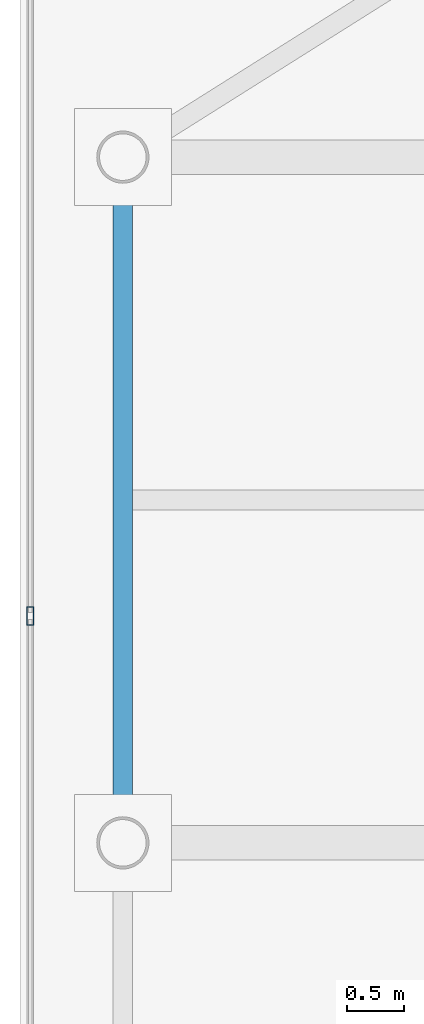
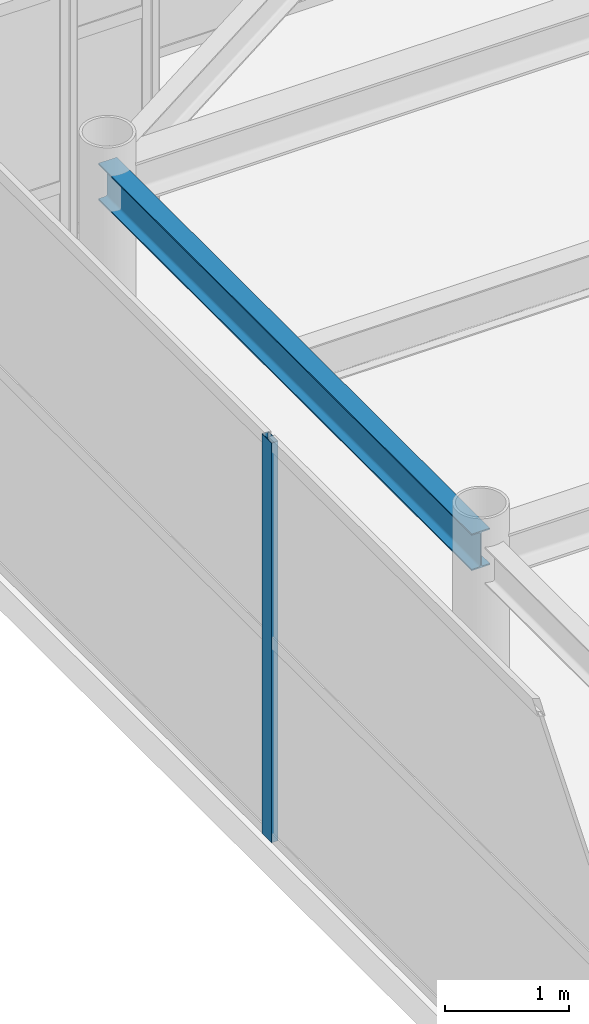
# One storey, part 13 of 32: 1 beam, 1 member, 1 element without a shape of its own.
"""IFC4 building model written with IfcOpenShell, lengths in metres."""

from ifc_helpers import new_model, si_unit, direction, frame, origin, origin_2d, place, context, subcontext, project, spatial, hollow_rectangle, i_section, extrude, source, transform, mapped, material, layer, layer_set, material_profile, profile_set, type_object, element, aggregate, save


model = new_model("IFC4")

# Units and contexts
model_context = context("Model", 3, precision=1e-05, world=origin(), true_north=direction((0.0, 1.0)))
body_context = subcontext(model_context, "Body", "Model", "MODEL_VIEW")
ifc_project = project(units=[si_unit("LENGTHUNIT", "METRE"), si_unit("AREAUNIT", "SQUARE_METRE"), si_unit("VOLUMEUNIT", "CUBIC_METRE"), si_unit("PLANEANGLEUNIT", "RADIAN"), si_unit("MASSUNIT", "GRAM", prefix="KILO")], contexts=[model_context])

# Site, building, storey
site_placement = place(None, origin())
site = spatial("IfcSite", under=ifc_project, at=site_placement, CompositionType="ELEMENT")
building_placement = place(site_placement, origin())
building = spatial("IfcBuilding", under=site, at=building_placement, Name="Khoralis Quay Care Tower", CompositionType="ELEMENT")
storey_placement = place(building_placement, frame((0.0, 0.0, 293.699951171875)))
storey = spatial("IfcBuildingStorey", under=building, at=storey_placement, Name="L77", CompositionType="ELEMENT", Elevation=293.699951171875)

# Beam
ifc_material_1 = material(Name="Steel S355", Category="steel")
ifc_material_profile_1 = material_profile(ifc_material_1, i_section(OverallWidth=0.169921875, OverallDepth=0.360107421875, WebThickness=0.008056640625, FlangeThickness=0.0126953125, FilletRadius=0.01806640625, at=origin_2d()), Name="Steel S355")
ifc_profile_set_1 = profile_set([ifc_material_profile_1], Name="Steel S355")
beam_type = type_object("IfcBeamType", Name="BM-IPE360", PredefinedType="SPANDREL", material=ifc_profile_set_1)
shared_shape_1 = source(origin(), body_context, "Body", "SweptSolid", [
    extrude(i_section(OverallWidth=0.169921875, OverallDepth=0.360107421875, WebThickness=0.008056640625, FlangeThickness=0.0126953125, FilletRadius=0.01806640625, at=origin_2d()), origin(), (0.0, 0.0, 1.0), 6.0),
])
beam_placement = place(storey_placement, frame((3.89990234375, 30.0, 3.739990234375), z_axis=(0.0, 1.0, 0.0), x_axis=(-1.0, 0.0, 0.0)))
element("IfcBeam", 1, at=beam_placement, inside=storey, type_object=beam_type, Name="BM-TSP-L77-12", PredefinedType="SPANDREL", context=body_context, shape_type="MappedRepresentation", body=[
    mapped(shared_shape_1, transform((0.0, 0.0, 0.0), scale=1.0)),
])

# Curtain wall, member
ifc_material_2 = material(Name="Pale anodised aluminium", Category="aluminium")
ifc_layer = layer(ifc_material_2, 0.199951171875)
ifc_layer_set = layer_set([ifc_layer], Name="Pale anodised aluminium")
curtain_wall_type = type_object("IfcCurtainWallType", Name="CW-SYS-LANTERN", PredefinedType="NOTDEFINED", material=ifc_layer_set)
curtain_wall_placement = place(storey_placement, origin())
curtain_wall = element("IfcCurtainWall", 2, at=curtain_wall_placement, inside=storey, type_object=curtain_wall_type, Name="L77 Unitised Curtain Wall CW-LN-L77-16", PredefinedType="NOTDEFINED")
ifc_material_profile_2 = material_profile(ifc_material_2, hollow_rectangle(XDim=0.06005859375, YDim=0.159912109375, WallThickness=0.00390625, at=origin_2d()), Name="Pale anodised aluminium")
ifc_profile_set_2 = profile_set([ifc_material_profile_2], Name="Pale anodised aluminium")
member_type = type_object("IfcMemberType", Name="CW-MUL-160", PredefinedType="MULLION", material=ifc_profile_set_2)
shared_shape_2 = source(origin(), body_context, "Body", "SweptSolid", [
    extrude(hollow_rectangle(XDim=0.06005859375, YDim=0.159912109375, WallThickness=0.00390625, at=origin_2d()), origin(), (0.0, 0.0, 1.0), 3.920166015625),
])
member_placement = place(storey_placement, frame((3.090087890625, 31.986083984375, 0.0), z_axis=(0.0, 0.0, 1.0), x_axis=(1.0, 0.0, 0.0)))
member = element("IfcMember", 3, at=member_placement, type_object=member_type, Name="CW5 mullion 2", PredefinedType="MULLION", context=body_context, shape_type="MappedRepresentation", body=[
    mapped(shared_shape_2, transform((0.0, 0.0, 0.0), scale=1.0)),
])
aggregate(curtain_wall, [member])

save(model, "model.ifc")
